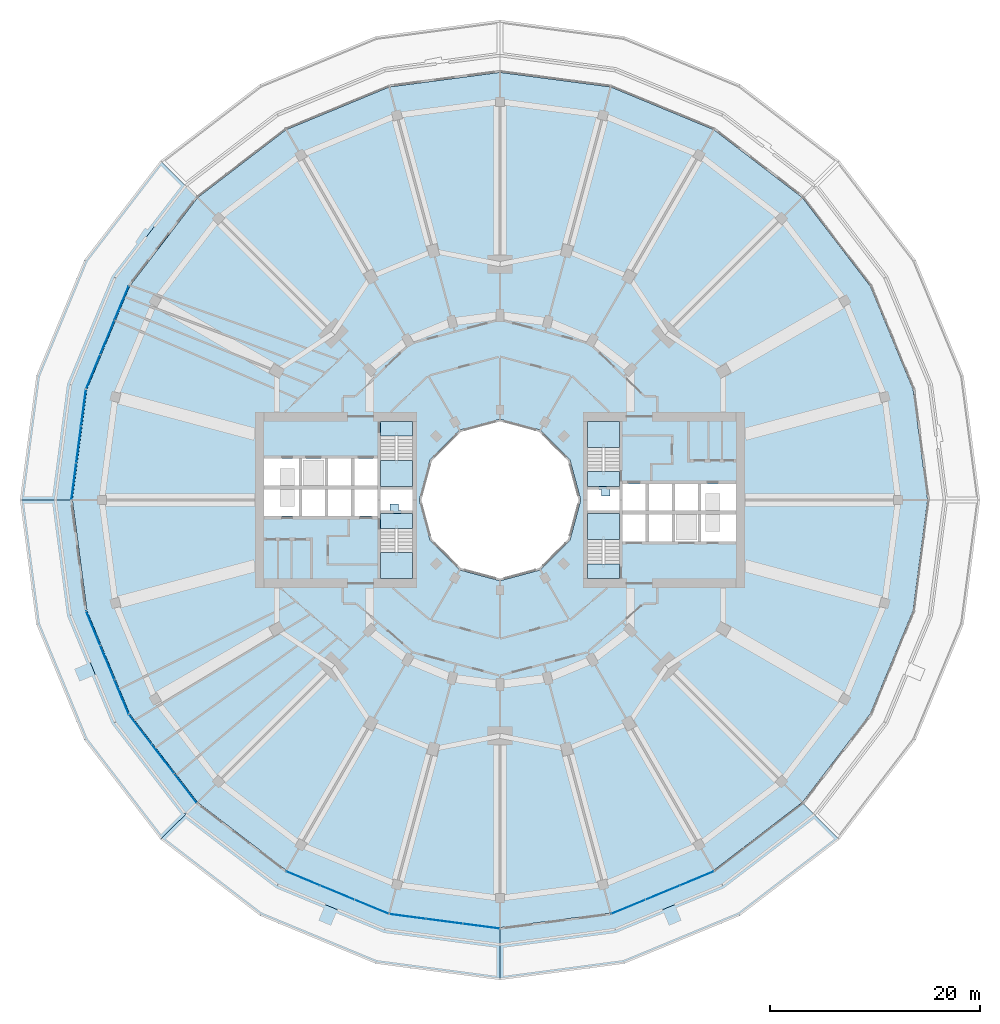
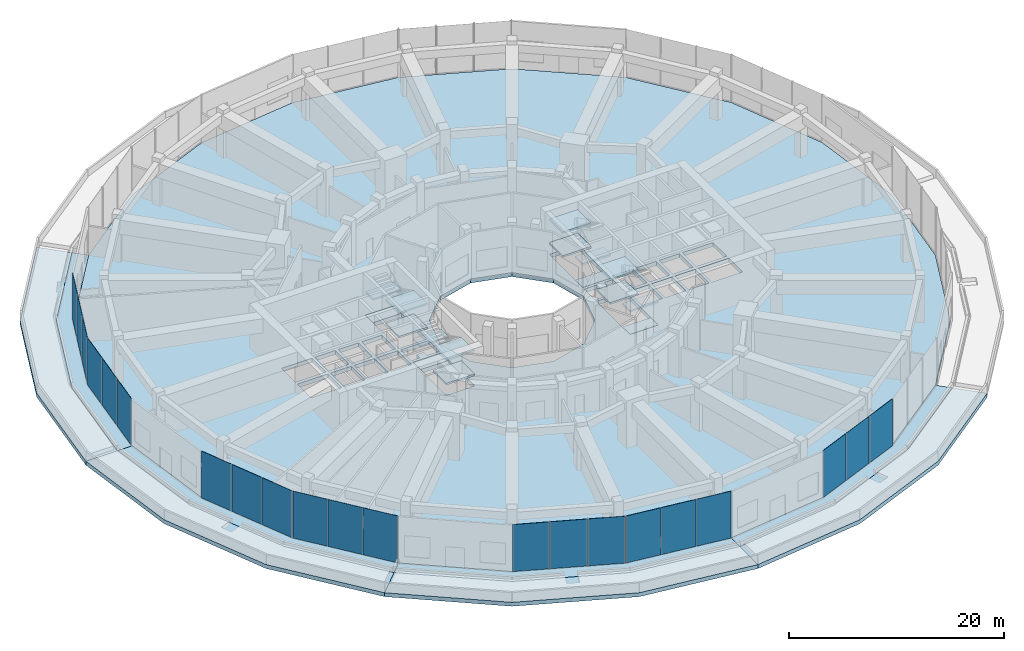
# One storey, part 19 of 30: 25 slabs, 21 plates, 11 elements without a shape of their own.
"""IFC4 building model written with IfcOpenShell, lengths in metres."""

from ifc_helpers import new_model, si_unit, direction, frame, origin, origin_2d, place, context, subcontext, project, spatial, polyline, rectangle, outline, extrude, material, layer, layer_set, type_object, element, aggregate, save


model = new_model("IFC4")

# Units and contexts
model_context = context("Model", 3, precision=1e-05, world=origin(), true_north=direction((0.0, 1.0)))
body_context = subcontext(model_context, "Body", "Model", "MODEL_VIEW")
ifc_project = project(units=[si_unit("LENGTHUNIT", "METRE"), si_unit("AREAUNIT", "SQUARE_METRE"), si_unit("VOLUMEUNIT", "CUBIC_METRE"), si_unit("PLANEANGLEUNIT", "RADIAN"), si_unit("MASSUNIT", "GRAM", prefix="KILO")], contexts=[model_context])

# Site, building, storey
site_placement = place(None, origin())
site = spatial("IfcSite", under=ifc_project, at=site_placement, CompositionType="ELEMENT")
building_placement = place(site_placement, origin())
building = spatial("IfcBuilding", under=site, at=building_placement, Name="Torre Brocal", CompositionType="ELEMENT")
storey_placement = place(building_placement, frame((0.0, 0.0, 7.0)))
storey = spatial("IfcBuildingStorey", under=building, at=storey_placement, Name="L01", CompositionType="ELEMENT", Elevation=7.0)

# Curtain wall, plates
ifc_material_1 = material(Name="Aluminium and glass", Category="aluminium")
ifc_layer_1 = layer(ifc_material_1, 0.199951171875)
ifc_layer_set_1 = layer_set([ifc_layer_1], Name="Aluminium and glass")
curtain_wall_type = type_object("IfcCurtainWallType", Name="CW-3 CURTAIN WALL 5400 HIGH", PredefinedType="NOTDEFINED", material=ifc_layer_set_1)
curtain_wall_1_placement = place(storey_placement, origin())
curtain_wall_1 = element("IfcCurtainWall", 1, at=curtain_wall_1_placement, inside=storey, type_object=curtain_wall_type, Name="CW-3 RUN 11", PredefinedType="NOTDEFINED")
ifc_material_2 = material(Name="Glass, dark tinted laminated", Category="glass")
ifc_layer_2 = layer(ifc_material_2, 0.02392578125)
ifc_layer_set_2 = layer_set([ifc_layer_2], Name="Glass, dark tinted laminated")
plate_type = type_object("IfcPlateType", Name="CW-3 GLASS PANEL 24", PredefinedType="CURTAIN_PANEL", material=ifc_layer_set_2)
plate_1_placement = place(storey_placement, frame((43.89453125, 93.7939453125, 0.06005859375), z_axis=(0.0, 0.0, 1.0), x_axis=(-0.382683432397, -0.923879532498, 0.0)))
plate_1 = element("IfcPlate", 2, at=plate_1_placement, type_object=plate_type, Name="CW3-2 panel 1.1", PredefinedType="CURTAIN_PANEL", context=body_context, shape_type="SweptSolid", body=[
    extrude(rectangle(XDim=3.48388671875, YDim=0.02392578125, at=origin_2d()), origin(), (0.0, 0.0, 1.0), 5.340087890625),
])
plate_2_placement = place(storey_placement, frame((42.537353515625, 90.517578125, 0.06005859375), z_axis=(0.0, 0.0, 1.0), x_axis=(-0.382683432397, -0.923879532498, 0.0)))
plate_2 = element("IfcPlate", 3, at=plate_2_placement, type_object=plate_type, Name="CW3-2 panel 2.1", PredefinedType="CURTAIN_PANEL", context=body_context, shape_type="SweptSolid", body=[
    extrude(rectangle(XDim=3.509033203125, YDim=0.02392578125, at=origin_2d()), origin(), (0.0, 0.0, 1.0), 5.340087890625),
])
plate_3_placement = place(storey_placement, frame((41.18017578125, 87.240966796875, 0.06005859375), z_axis=(0.0, 0.0, 1.0), x_axis=(-0.382683432397, -0.923879532498, 0.0)))
plate_3 = element("IfcPlate", 4, at=plate_3_placement, type_object=plate_type, Name="CW3-2 panel 3.1", PredefinedType="CURTAIN_PANEL", context=body_context, shape_type="SweptSolid", body=[
    extrude(rectangle(XDim=3.48388671875, YDim=0.02392578125, at=origin_2d()), origin(), (0.0, 0.0, 1.0), 5.340087890625),
])
aggregate(curtain_wall_1, [plate_1, plate_2, plate_3])

curtain_wall_2_placement = place(storey_placement, origin())
curtain_wall_2 = element("IfcCurtainWall", 5, at=curtain_wall_2_placement, inside=storey, type_object=curtain_wall_type, Name="CW-3 RUN 12", PredefinedType="NOTDEFINED")
plate_4_placement = place(storey_placement, frame((40.260498046875, 83.808837890625, 0.06005859375), z_axis=(0.0, 0.0, 1.0), x_axis=(-0.130526192185, -0.991444861378, 0.0)))
plate_4 = element("IfcPlate", 6, at=plate_4_placement, type_object=plate_type, Name="CW3-2 panel 1.1", PredefinedType="CURTAIN_PANEL", context=body_context, shape_type="SweptSolid", body=[
    extrude(rectangle(XDim=3.48388671875, YDim=0.02392578125, at=origin_2d()), origin(), (0.0, 0.0, 1.0), 5.340087890625),
])
plate_5_placement = place(storey_placement, frame((39.797607421875, 80.292724609375, 0.06005859375), z_axis=(0.0, 0.0, 1.0), x_axis=(-0.130526192185, -0.991444861378, 0.0)))
plate_5 = element("IfcPlate", 7, at=plate_5_placement, type_object=plate_type, Name="CW3-2 panel 2.1", PredefinedType="CURTAIN_PANEL", context=body_context, shape_type="SweptSolid", body=[
    extrude(rectangle(XDim=3.509033203125, YDim=0.02392578125, at=origin_2d()), origin(), (0.0, 0.0, 1.0), 5.340087890625),
])
plate_6_placement = place(storey_placement, frame((39.334716796875, 76.776611328125, 0.06005859375), z_axis=(0.0, 0.0, 1.0), x_axis=(-0.130526192185, -0.991444861378, 0.0)))
plate_6 = element("IfcPlate", 8, at=plate_6_placement, type_object=plate_type, Name="CW3-2 panel 3.1", PredefinedType="CURTAIN_PANEL", context=body_context, shape_type="SweptSolid", body=[
    extrude(rectangle(XDim=3.48388671875, YDim=0.02392578125, at=origin_2d()), origin(), (0.0, 0.0, 1.0), 5.340087890625),
])
aggregate(curtain_wall_2, [plate_4, plate_5, plate_6])

curtain_wall_3_placement = place(storey_placement, origin())
curtain_wall_3 = element("IfcCurtainWall", 9, at=curtain_wall_3_placement, inside=storey, type_object=curtain_wall_type, Name="CW-3 RUN 14", PredefinedType="NOTDEFINED")
plate_7_placement = place(storey_placement, frame((41.18017578125, 62.759033203125, 0.06005859375), z_axis=(0.0, 0.0, 1.0), x_axis=(0.382683432397, -0.923879532498, 0.0)))
plate_7 = element("IfcPlate", 10, at=plate_7_placement, type_object=plate_type, Name="CW3-2 panel 1.1", PredefinedType="CURTAIN_PANEL", context=body_context, shape_type="SweptSolid", body=[
    extrude(rectangle(XDim=3.48388671875, YDim=0.02392578125, at=origin_2d()), origin(), (0.0, 0.0, 1.0), 5.340087890625),
])
plate_8_placement = place(storey_placement, frame((42.537353515625, 59.482421875, 0.06005859375), z_axis=(0.0, 0.0, 1.0), x_axis=(0.382683432397, -0.923879532498, 0.0)))
plate_8 = element("IfcPlate", 11, at=plate_8_placement, type_object=plate_type, Name="CW3-2 panel 2.1", PredefinedType="CURTAIN_PANEL", context=body_context, shape_type="SweptSolid", body=[
    extrude(rectangle(XDim=3.509033203125, YDim=0.02392578125, at=origin_2d()), origin(), (0.0, 0.0, 1.0), 5.340087890625),
])
plate_9_placement = place(storey_placement, frame((43.89453125, 56.2060546875, 0.06005859375), z_axis=(0.0, 0.0, 1.0), x_axis=(0.382683432397, -0.923879532498, 0.0)))
plate_9 = element("IfcPlate", 12, at=plate_9_placement, type_object=plate_type, Name="CW3-2 panel 3.1", PredefinedType="CURTAIN_PANEL", context=body_context, shape_type="SweptSolid", body=[
    extrude(rectangle(XDim=3.48388671875, YDim=0.02392578125, at=origin_2d()), origin(), (0.0, 0.0, 1.0), 5.340087890625),
])
aggregate(curtain_wall_3, [plate_7, plate_8, plate_9])

curtain_wall_4_placement = place(storey_placement, origin())
curtain_wall_4 = element("IfcCurtainWall", 13, at=curtain_wall_4_placement, inside=storey, type_object=curtain_wall_type, Name="CW-3 RUN 15", PredefinedType="NOTDEFINED")
plate_10_placement = place(storey_placement, frame((45.671142578125, 53.128662109375, 0.06005859375), z_axis=(0.0, 0.0, 1.0), x_axis=(0.608761429009, -0.793353340291, 0.0)))
plate_10 = element("IfcPlate", 14, at=plate_10_placement, type_object=plate_type, Name="CW3-2 panel 1.1", PredefinedType="CURTAIN_PANEL", context=body_context, shape_type="SweptSolid", body=[
    extrude(rectangle(XDim=3.48388671875, YDim=0.02392578125, at=origin_2d()), origin(), (0.0, 0.0, 1.0), 5.340087890625),
])
plate_11_placement = place(storey_placement, frame((47.830078125, 50.315185546875, 0.06005859375), z_axis=(0.0, 0.0, 1.0), x_axis=(0.608761429009, -0.793353340291, 0.0)))
plate_11 = element("IfcPlate", 15, at=plate_11_placement, type_object=plate_type, Name="CW3-2 panel 2.1", PredefinedType="CURTAIN_PANEL", context=body_context, shape_type="SweptSolid", body=[
    extrude(rectangle(XDim=3.509033203125, YDim=0.02392578125, at=origin_2d()), origin(), (0.0, 0.0, 1.0), 5.340087890625),
])
plate_12_placement = place(storey_placement, frame((49.989013671875, 47.501708984375, 0.06005859375), z_axis=(0.0, 0.0, 1.0), x_axis=(0.608761429009, -0.793353340291, 0.0)))
plate_12 = element("IfcPlate", 16, at=plate_12_placement, type_object=plate_type, Name="CW3-2 panel 3.1", PredefinedType="CURTAIN_PANEL", context=body_context, shape_type="SweptSolid", body=[
    extrude(rectangle(XDim=3.48388671875, YDim=0.02392578125, at=origin_2d()), origin(), (0.0, 0.0, 1.0), 5.340087890625),
])
aggregate(curtain_wall_4, [plate_10, plate_11, plate_12])

curtain_wall_5_placement = place(storey_placement, origin())
curtain_wall_5 = element("IfcCurtainWall", 17, at=curtain_wall_5_placement, inside=storey, type_object=curtain_wall_type, Name="CW-3 RUN 17", PredefinedType="NOTDEFINED")
plate_13_placement = place(storey_placement, frame((61.2060546875, 38.89453125, 0.06005859375), z_axis=(0.0, 0.0, 1.0), x_axis=(0.923879532498, -0.382683432397, 0.0)))
plate_13 = element("IfcPlate", 18, at=plate_13_placement, type_object=plate_type, Name="CW3-2 panel 1.1", PredefinedType="CURTAIN_PANEL", context=body_context, shape_type="SweptSolid", body=[
    extrude(rectangle(XDim=3.48388671875, YDim=0.02392578125, at=origin_2d()), origin(), (0.0, 0.0, 1.0), 5.340087890625),
])
plate_14_placement = place(storey_placement, frame((64.482421875, 37.537353515625, 0.06005859375), z_axis=(0.0, 0.0, 1.0), x_axis=(0.923879532498, -0.382683432397, 0.0)))
plate_14 = element("IfcPlate", 19, at=plate_14_placement, type_object=plate_type, Name="CW3-2 panel 2.1", PredefinedType="CURTAIN_PANEL", context=body_context, shape_type="SweptSolid", body=[
    extrude(rectangle(XDim=3.509033203125, YDim=0.02392578125, at=origin_2d()), origin(), (0.0, 0.0, 1.0), 5.340087890625),
])
plate_15_placement = place(storey_placement, frame((67.759033203125, 36.18017578125, 0.06005859375), z_axis=(0.0, 0.0, 1.0), x_axis=(0.923879532498, -0.382683432397, 0.0)))
plate_15 = element("IfcPlate", 20, at=plate_15_placement, type_object=plate_type, Name="CW3-2 panel 3.1", PredefinedType="CURTAIN_PANEL", context=body_context, shape_type="SweptSolid", body=[
    extrude(rectangle(XDim=3.48388671875, YDim=0.02392578125, at=origin_2d()), origin(), (0.0, 0.0, 1.0), 5.340087890625),
])
aggregate(curtain_wall_5, [plate_13, plate_14, plate_15])

curtain_wall_6_placement = place(storey_placement, origin())
curtain_wall_6 = element("IfcCurtainWall", 21, at=curtain_wall_6_placement, inside=storey, type_object=curtain_wall_type, Name="CW-3 RUN 18", PredefinedType="NOTDEFINED")
plate_16_placement = place(storey_placement, frame((71.191162109375, 35.260498046875, 0.06005859375), z_axis=(0.0, 0.0, 1.0), x_axis=(0.991444861378, -0.130526192185, 0.0)))
plate_16 = element("IfcPlate", 22, at=plate_16_placement, type_object=plate_type, Name="CW3-2 panel 1.1", PredefinedType="CURTAIN_PANEL", context=body_context, shape_type="SweptSolid", body=[
    extrude(rectangle(XDim=3.48388671875, YDim=0.02392578125, at=origin_2d()), origin(), (0.0, 0.0, 1.0), 5.340087890625),
])
plate_17_placement = place(storey_placement, frame((74.707275390625, 34.797607421875, 0.06005859375), z_axis=(0.0, 0.0, 1.0), x_axis=(0.991444861378, -0.130526192185, 0.0)))
plate_17 = element("IfcPlate", 23, at=plate_17_placement, type_object=plate_type, Name="CW3-2 panel 2.1", PredefinedType="CURTAIN_PANEL", context=body_context, shape_type="SweptSolid", body=[
    extrude(rectangle(XDim=3.509033203125, YDim=0.02392578125, at=origin_2d()), origin(), (0.0, 0.0, 1.0), 5.340087890625),
])
plate_18_placement = place(storey_placement, frame((78.223388671875, 34.334716796875, 0.06005859375), z_axis=(0.0, 0.0, 1.0), x_axis=(0.991444861378, -0.130526192185, 0.0)))
plate_18 = element("IfcPlate", 24, at=plate_18_placement, type_object=plate_type, Name="CW3-2 panel 3.1", PredefinedType="CURTAIN_PANEL", context=body_context, shape_type="SweptSolid", body=[
    extrude(rectangle(XDim=3.48388671875, YDim=0.02392578125, at=origin_2d()), origin(), (0.0, 0.0, 1.0), 5.340087890625),
])
aggregate(curtain_wall_6, [plate_16, plate_17, plate_18])

curtain_wall_7_placement = place(storey_placement, origin())
curtain_wall_7 = element("IfcCurtainWall", 25, at=curtain_wall_7_placement, inside=storey, type_object=curtain_wall_type, Name="CW-3 RUN 20", PredefinedType="NOTDEFINED")
plate_19_placement = place(storey_placement, frame((92.240966796875, 36.18017578125, 0.06005859375), z_axis=(0.0, 0.0, 1.0), x_axis=(0.923879532498, 0.382683432397, 0.0)))
plate_19 = element("IfcPlate", 26, at=plate_19_placement, type_object=plate_type, Name="CW3-2 panel 1.1", PredefinedType="CURTAIN_PANEL", context=body_context, shape_type="SweptSolid", body=[
    extrude(rectangle(XDim=3.48388671875, YDim=0.02392578125, at=origin_2d()), origin(), (0.0, 0.0, 1.0), 5.340087890625),
])
plate_20_placement = place(storey_placement, frame((95.517578125, 37.537353515625, 0.06005859375), z_axis=(0.0, 0.0, 1.0), x_axis=(0.923879532498, 0.382683432397, 0.0)))
plate_20 = element("IfcPlate", 27, at=plate_20_placement, type_object=plate_type, Name="CW3-2 panel 2.1", PredefinedType="CURTAIN_PANEL", context=body_context, shape_type="SweptSolid", body=[
    extrude(rectangle(XDim=3.509033203125, YDim=0.02392578125, at=origin_2d()), origin(), (0.0, 0.0, 1.0), 5.340087890625),
])
plate_21_placement = place(storey_placement, frame((98.7939453125, 38.89453125, 0.06005859375), z_axis=(0.0, 0.0, 1.0), x_axis=(0.923879532498, 0.382683432397, 0.0)))
plate_21 = element("IfcPlate", 28, at=plate_21_placement, type_object=plate_type, Name="CW3-2 panel 3.1", PredefinedType="CURTAIN_PANEL", context=body_context, shape_type="SweptSolid", body=[
    extrude(rectangle(XDim=3.48388671875, YDim=0.02392578125, at=origin_2d()), origin(), (0.0, 0.0, 1.0), 5.340087890625),
])
aggregate(curtain_wall_7, [plate_19, plate_20, plate_21])

# Stair, slab
ifc_material_3 = material(Name="Concrete C50", Category="concrete")
stair_type = type_object("IfcStairType", Name="EXIT STAIR", PredefinedType="HALF_TURN_STAIR", material=ifc_material_3)
stair_1_placement = place(storey_placement, origin())
stair_1 = element("IfcStair", 29, at=stair_1_placement, inside=storey, type_object=stair_type, Name="EXIT STAIR ST1", PredefinedType="HALF_TURN_STAIR")
ifc_material_4 = material(Name="Concrete C50", Category="concrete")
ifc_layer_3 = layer(ifc_material_4, 0.449951171875)
ifc_layer_set_3 = layer_set([ifc_layer_3], Name="Concrete C50")
slab_type_1 = type_object("IfcSlabType", Name="FLOOR LANDING 450", PredefinedType="LANDING", material=ifc_layer_set_3)
slab_1_placement = place(storey_placement, frame((0.0, 0.0, -0.449951171875)))
slab_1 = element("IfcSlab", 30, at=slab_1_placement, type_object=slab_type_1, Name="ST1 landing 1", PredefinedType="LANDING", context=body_context, shape_type="SweptSolid", body=[
    extrude(outline(polyline([(88.35009765625, 76.300048828125), (91.39990234375, 76.300048828125), (91.39990234375, 77.699951171875), (88.35009765625, 77.699951171875), (88.35009765625, 76.300048828125)])), origin(), (0.0, 0.0, 1.0), 0.449951171875),
])

stair_2_placement = place(storey_placement, origin())
stair_2 = element("IfcStair", 31, at=stair_2_placement, inside=storey, type_object=stair_type, Name="EXIT STAIR ST2", PredefinedType="HALF_TURN_STAIR")
slab_2_placement = place(storey_placement, frame((0.0, 0.0, -0.449951171875)))
slab_2 = element("IfcSlab", 32, at=slab_2_placement, type_object=slab_type_1, Name="ST2 landing 1", PredefinedType="LANDING", context=body_context, shape_type="SweptSolid", body=[
    extrude(outline(polyline([(88.35009765625, 67.5), (91.39990234375, 67.5), (91.39990234375, 68.89990234375), (88.35009765625, 68.89990234375), (88.35009765625, 67.5)])), origin(), (0.0, 0.0, 1.0), 0.449951171875),
])

stair_3_placement = place(storey_placement, origin())
stair_3 = element("IfcStair", 33, at=stair_3_placement, inside=storey, type_object=stair_type, Name="EXIT STAIR ST3", PredefinedType="HALF_TURN_STAIR")
slab_3_placement = place(storey_placement, frame((0.0, 0.0, -0.449951171875)))
slab_3 = element("IfcSlab", 34, at=slab_3_placement, type_object=slab_type_1, Name="ST3 landing 1", PredefinedType="LANDING", context=body_context, shape_type="SweptSolid", body=[
    extrude(outline(polyline([(71.64990234375, 73.699951171875), (68.60009765625, 73.699951171875), (68.60009765625, 72.300048828125), (71.64990234375, 72.300048828125), (71.64990234375, 73.699951171875)])), origin(), (0.0, 0.0, 1.0), 0.449951171875),
])

stair_4_placement = place(storey_placement, origin())
stair_4 = element("IfcStair", 35, at=stair_4_placement, inside=storey, type_object=stair_type, Name="EXIT STAIR ST4", PredefinedType="HALF_TURN_STAIR")
slab_4_placement = place(storey_placement, frame((0.0, 0.0, -0.449951171875)))
slab_4 = element("IfcSlab", 36, at=slab_4_placement, type_object=slab_type_1, Name="ST4 landing 1", PredefinedType="LANDING", context=body_context, shape_type="SweptSolid", body=[
    extrude(outline(polyline([(71.64990234375, 82.5), (68.60009765625, 82.5), (68.60009765625, 81.10009765625), (71.64990234375, 81.10009765625), (71.64990234375, 82.5)])), origin(), (0.0, 0.0, 1.0), 0.449951171875),
])

# Slabs
ifc_material_5 = material(Name="Concrete C45", Category="concrete")
ifc_layer_4 = layer(ifc_material_5, 0.449951171875)
ifc_layer_set_4 = layer_set([ifc_layer_4], Name="Concrete C45")
slab_type_2 = type_object("IfcSlabType", Name="GREEN ROOF PLANTING BED SLAB 450 C45", PredefinedType="ROOF", material=ifc_layer_set_4)
slab_5_placement = place(storey_placement, frame((0.0, 0.0, -0.449951171875)))
element("IfcSlab", 37, at=slab_5_placement, inside=storey, type_object=slab_type_2, Name="Slab ST-04", PredefinedType="ROOF", context=body_context, shape_type="SweptSolid", body=[
    extrude(outline(polyline([(47.61572265625, 107.38427734375), (50.010009765625, 104.989990234375), (43.27001953125, 96.2060546875), (39.032958984375, 85.97705078125), (37.587890625, 75.0), (34.20166015625, 75.0), (35.76220703125, 86.853515625), (40.337646484375, 97.899169921875), (47.61572265625, 107.38427734375)])), origin(), (0.0, 0.0, 1.0), 0.449951171875),
])
slab_6_placement = place(storey_placement, frame((0.0, 0.0, -0.449951171875)))
element("IfcSlab", 38, at=slab_6_placement, inside=storey, type_object=slab_type_2, Name="Slab ST-04", PredefinedType="ROOF", context=body_context, shape_type="SweptSolid", body=[
    extrude(outline(polyline([(34.20166015625, 75.0), (37.587890625, 75.0), (39.032958984375, 64.02294921875), (43.27001953125, 53.7939453125), (50.010009765625, 45.010009765625), (47.61572265625, 42.61572265625), (40.337646484375, 52.100830078125), (35.76220703125, 63.146484375), (34.20166015625, 75.0)])), origin(), (0.0, 0.0, 1.0), 0.449951171875),
])
slab_7_placement = place(storey_placement, frame((0.0, 0.0, -0.449951171875)))
element("IfcSlab", 39, at=slab_7_placement, inside=storey, type_object=slab_type_2, Name="Slab ST-04", PredefinedType="ROOF", context=body_context, shape_type="SweptSolid", body=[
    extrude(outline(polyline([(47.61572265625, 42.61572265625), (50.010009765625, 45.010009765625), (58.7939453125, 38.27001953125), (69.02294921875, 34.032958984375), (80.0, 32.587890625), (80.0, 29.20166015625), (68.146484375, 30.76220703125), (57.100830078125, 35.337646484375), (47.61572265625, 42.61572265625)])), origin(), (0.0, 0.0, 1.0), 0.449951171875),
])
slab_8_placement = place(storey_placement, frame((0.0, 0.0, -0.449951171875)))
element("IfcSlab", 40, at=slab_8_placement, inside=storey, type_object=slab_type_2, Name="Slab ST-04", PredefinedType="ROOF", context=body_context, shape_type="SweptSolid", body=[
    extrude(outline(polyline([(80.0, 29.20166015625), (80.0, 32.587890625), (90.97705078125, 34.032958984375), (101.2060546875, 38.27001953125), (109.989990234375, 45.010009765625), (112.38427734375, 42.61572265625), (102.899169921875, 35.337646484375), (91.853515625, 30.76220703125), (80.0, 29.20166015625)])), origin(), (0.0, 0.0, 1.0), 0.449951171875),
])

# Slab
ifc_material_6 = material(Name="Concrete C50", Category="concrete")
ifc_layer_5 = layer(ifc_material_6, 0.199951171875)
ifc_layer_set_5 = layer_set([ifc_layer_5], Name="Concrete C50")
slab_type_3 = type_object("IfcSlabType", Name="MID LANDING +1350", PredefinedType="LANDING", material=ifc_layer_set_5)
slab_9_placement = place(storey_placement, frame((0.0, 0.0, 1.14990234375)))
slab_9 = element("IfcSlab", 41, at=slab_9_placement, type_object=slab_type_3, Name="ST1 landing 2", PredefinedType="LANDING", context=body_context, shape_type="SweptSolid", body=[
    extrude(outline(polyline([(88.35009765625, 80.010009765625), (91.39990234375, 80.010009765625), (91.39990234375, 82.5), (88.35009765625, 82.5), (88.35009765625, 80.010009765625)])), origin(), (0.0, 0.0, 1.0), 0.2001953125),
])

slab_10_placement = place(storey_placement, frame((0.0, 0.0, 1.14990234375)))
slab_10 = element("IfcSlab", 42, at=slab_10_placement, type_object=slab_type_3, Name="ST2 landing 2", PredefinedType="LANDING", context=body_context, shape_type="SweptSolid", body=[
    extrude(outline(polyline([(88.35009765625, 71.2099609375), (91.39990234375, 71.2099609375), (91.39990234375, 73.699951171875), (88.35009765625, 73.699951171875), (88.35009765625, 71.2099609375)])), origin(), (0.0, 0.0, 1.0), 0.2001953125),
])

slab_11_placement = place(storey_placement, frame((0.0, 0.0, 1.14990234375)))
slab_11 = element("IfcSlab", 43, at=slab_11_placement, type_object=slab_type_3, Name="ST3 landing 2", PredefinedType="LANDING", context=body_context, shape_type="SweptSolid", body=[
    extrude(outline(polyline([(71.64990234375, 69.989990234375), (68.60009765625, 69.989990234375), (68.60009765625, 67.5), (71.64990234375, 67.5), (71.64990234375, 69.989990234375)])), origin(), (0.0, 0.0, 1.0), 0.2001953125),
])

slab_12_placement = place(storey_placement, frame((0.0, 0.0, 1.14990234375)))
slab_12 = element("IfcSlab", 44, at=slab_12_placement, type_object=slab_type_3, Name="ST4 landing 2", PredefinedType="LANDING", context=body_context, shape_type="SweptSolid", body=[
    extrude(outline(polyline([(71.64990234375, 78.7900390625), (68.60009765625, 78.7900390625), (68.60009765625, 76.300048828125), (71.64990234375, 76.300048828125), (71.64990234375, 78.7900390625)])), origin(), (0.0, 0.0, 1.0), 0.2001953125),
])

ifc_material_7 = material(Name="Concrete C50", Category="concrete")
ifc_layer_6 = layer(ifc_material_7, 0.199951171875)
ifc_layer_set_6 = layer_set([ifc_layer_6], Name="Concrete C50")
slab_type_4 = type_object("IfcSlabType", Name="MID LANDING +2700", PredefinedType="LANDING", material=ifc_layer_set_6)
slab_13_placement = place(storey_placement, frame((0.0, 0.0, 2.5)))
slab_13 = element("IfcSlab", 45, at=slab_13_placement, type_object=slab_type_4, Name="ST1 landing 3", PredefinedType="LANDING", context=body_context, shape_type="SweptSolid", body=[
    extrude(outline(polyline([(88.35009765625, 76.300048828125), (91.39990234375, 76.300048828125), (91.39990234375, 77.699951171875), (88.35009765625, 77.699951171875), (88.35009765625, 76.300048828125)])), origin(), (0.0, 0.0, 1.0), 0.199951171875),
])

slab_14_placement = place(storey_placement, frame((0.0, 0.0, 2.5)))
slab_14 = element("IfcSlab", 46, at=slab_14_placement, type_object=slab_type_4, Name="ST2 landing 3", PredefinedType="LANDING", context=body_context, shape_type="SweptSolid", body=[
    extrude(outline(polyline([(88.35009765625, 67.5), (91.39990234375, 67.5), (91.39990234375, 68.89990234375), (88.35009765625, 68.89990234375), (88.35009765625, 67.5)])), origin(), (0.0, 0.0, 1.0), 0.199951171875),
])

slab_15_placement = place(storey_placement, frame((0.0, 0.0, 2.5)))
slab_15 = element("IfcSlab", 47, at=slab_15_placement, type_object=slab_type_4, Name="ST3 landing 3", PredefinedType="LANDING", context=body_context, shape_type="SweptSolid", body=[
    extrude(outline(polyline([(71.64990234375, 73.699951171875), (68.60009765625, 73.699951171875), (68.60009765625, 72.300048828125), (71.64990234375, 72.300048828125), (71.64990234375, 73.699951171875)])), origin(), (0.0, 0.0, 1.0), 0.199951171875),
])

slab_16_placement = place(storey_placement, frame((0.0, 0.0, 2.5)))
slab_16 = element("IfcSlab", 48, at=slab_16_placement, type_object=slab_type_4, Name="ST4 landing 3", PredefinedType="LANDING", context=body_context, shape_type="SweptSolid", body=[
    extrude(outline(polyline([(71.64990234375, 82.5), (68.60009765625, 82.5), (68.60009765625, 81.10009765625), (71.64990234375, 81.10009765625), (71.64990234375, 82.5)])), origin(), (0.0, 0.0, 1.0), 0.199951171875),
])

ifc_material_8 = material(Name="Concrete C50", Category="concrete")
ifc_layer_7 = layer(ifc_material_8, 0.199951171875)
ifc_layer_set_7 = layer_set([ifc_layer_7], Name="Concrete C50")
slab_type_5 = type_object("IfcSlabType", Name="MID LANDING +4050", PredefinedType="LANDING", material=ifc_layer_set_7)
slab_17_placement = place(storey_placement, frame((0.0, 0.0, 3.85009765625)))
slab_17 = element("IfcSlab", 49, at=slab_17_placement, type_object=slab_type_5, Name="ST1 landing 4", PredefinedType="LANDING", context=body_context, shape_type="SweptSolid", body=[
    extrude(outline(polyline([(88.35009765625, 80.010009765625), (91.39990234375, 80.010009765625), (91.39990234375, 82.5), (88.35009765625, 82.5), (88.35009765625, 80.010009765625)])), origin(), (0.0, 0.0, 1.0), 0.199951171875),
])

aggregate(stair_1, [slab_1, slab_9, slab_13, slab_17])

slab_18_placement = place(storey_placement, frame((0.0, 0.0, 3.85009765625)))
slab_18 = element("IfcSlab", 50, at=slab_18_placement, type_object=slab_type_5, Name="ST2 landing 4", PredefinedType="LANDING", context=body_context, shape_type="SweptSolid", body=[
    extrude(outline(polyline([(88.35009765625, 71.2099609375), (91.39990234375, 71.2099609375), (91.39990234375, 73.699951171875), (88.35009765625, 73.699951171875), (88.35009765625, 71.2099609375)])), origin(), (0.0, 0.0, 1.0), 0.199951171875),
])

aggregate(stair_2, [slab_2, slab_10, slab_14, slab_18])

slab_19_placement = place(storey_placement, frame((0.0, 0.0, 3.85009765625)))
slab_19 = element("IfcSlab", 51, at=slab_19_placement, type_object=slab_type_5, Name="ST3 landing 4", PredefinedType="LANDING", context=body_context, shape_type="SweptSolid", body=[
    extrude(outline(polyline([(71.64990234375, 69.989990234375), (68.60009765625, 69.989990234375), (68.60009765625, 67.5), (71.64990234375, 67.5), (71.64990234375, 69.989990234375)])), origin(), (0.0, 0.0, 1.0), 0.199951171875),
])

aggregate(stair_3, [slab_3, slab_11, slab_15, slab_19])

slab_20_placement = place(storey_placement, frame((0.0, 0.0, 3.85009765625)))
slab_20 = element("IfcSlab", 52, at=slab_20_placement, type_object=slab_type_5, Name="ST4 landing 4", PredefinedType="LANDING", context=body_context, shape_type="SweptSolid", body=[
    extrude(outline(polyline([(71.64990234375, 78.7900390625), (68.60009765625, 78.7900390625), (68.60009765625, 76.300048828125), (71.64990234375, 76.300048828125), (71.64990234375, 78.7900390625)])), origin(), (0.0, 0.0, 1.0), 0.199951171875),
])

aggregate(stair_4, [slab_4, slab_12, slab_16, slab_20])

# Slabs
ifc_material_9 = material(Name="Concrete C45", Category="concrete")
ifc_layer_8 = layer(ifc_material_9, 0.449951171875)
ifc_layer_set_8 = layer_set([ifc_layer_8], Name="Concrete C45")
slab_type_6 = type_object("IfcSlabType", Name="PT PODIUM SLAB 450 C45", PredefinedType="FLOOR", material=ifc_layer_set_8)
slab_21_placement = place(storey_placement, frame((0.0, 0.0, -0.449951171875)))
element("IfcSlab", 53, at=slab_21_placement, inside=storey, type_object=slab_type_6, Name="Slab ST-01", PredefinedType="FLOOR", context=body_context, shape_type="SweptSolid", body=[
    extrude(outline(polyline([(108.8486328125, 46.1513671875), (100.399169921875, 39.667724609375), (90.559326171875, 35.591796875), (80.0, 34.20166015625), (69.440673828125, 35.591796875), (59.600830078125, 39.667724609375), (51.1513671875, 46.1513671875), (44.667724609375, 54.600830078125), (40.591796875, 64.440673828125), (39.20166015625, 75.0), (40.591796875, 85.559326171875), (44.667724609375, 95.399169921875), (51.1513671875, 103.8486328125), (59.600830078125, 110.332275390625), (69.440673828125, 114.408203125), (80.0, 115.79833984375), (90.559326171875, 114.408203125), (100.399169921875, 110.332275390625), (108.8486328125, 103.8486328125), (115.332275390625, 95.399169921875), (119.408203125, 85.559326171875), (120.79833984375, 75.0), (119.408203125, 64.440673828125), (115.332275390625, 54.600830078125), (108.8486328125, 46.1513671875)]), holes=[polyline([(102.5, 74.0), (102.5, 76.550048828125), (99.199951171875, 76.550048828125), (99.199951171875, 74.0), (102.5, 74.0)]), polyline([(102.5, 71.050048828125), (102.5, 73.60009765625), (99.199951171875, 73.60009765625), (99.199951171875, 71.050048828125), (102.5, 71.050048828125)]), polyline([(98.89990234375, 76.550048828125), (96.699951171875, 76.550048828125), (96.699951171875, 74.0), (98.89990234375, 74.0), (98.89990234375, 76.550048828125)]), polyline([(98.89990234375, 71.050048828125), (98.89990234375, 73.60009765625), (96.699951171875, 73.60009765625), (96.699951171875, 71.050048828125), (98.89990234375, 71.050048828125)]), polyline([(96.39990234375, 73.60009765625), (94.199951171875, 73.60009765625), (94.199951171875, 71.050048828125), (96.39990234375, 71.050048828125), (96.39990234375, 73.60009765625)]), polyline([(96.39990234375, 74.0), (96.39990234375, 76.550048828125), (94.199951171875, 76.550048828125), (94.199951171875, 74.0), (96.39990234375, 74.0)]), polyline([(93.89990234375, 73.60009765625), (91.699951171875, 73.60009765625), (91.699951171875, 71.050048828125), (93.89990234375, 71.050048828125), (93.89990234375, 73.60009765625)]), polyline([(93.89990234375, 74.0), (93.89990234375, 76.550048828125), (91.699951171875, 76.550048828125), (91.699951171875, 74.0), (93.89990234375, 74.0)]), polyline([(91.39990234375, 76.300048828125), (91.39990234375, 82.5), (88.35009765625, 82.5), (88.35009765625, 76.300048828125), (91.39990234375, 76.300048828125)]), polyline([(91.39990234375, 73.699951171875), (88.35009765625, 73.699951171875), (88.35009765625, 67.5), (91.39990234375, 67.5), (91.39990234375, 73.699951171875)]), polyline([(89.699951171875, 76.0), (88.35009765625, 76.0), (88.35009765625, 74.0), (91.39990234375, 74.0), (91.39990234375, 76.0), (90.5, 76.0), (90.5, 75.39990234375), (89.699951171875, 75.39990234375), (89.699951171875, 76.0)]), polyline([(80.0, 82.70703125), (76.146484375, 81.674560546875), (73.325439453125, 78.853515625), (72.29296875, 75.0), (73.325439453125, 71.146484375), (76.146484375, 68.325439453125), (80.0, 67.29296875), (83.853515625, 68.325439453125), (86.674560546875, 71.146484375), (87.70703125, 75.0), (86.674560546875, 78.853515625), (83.853515625, 81.674560546875), (80.0, 82.70703125)]), polyline([(68.60009765625, 82.5), (68.60009765625, 76.300048828125), (71.64990234375, 76.300048828125), (71.64990234375, 82.5), (68.60009765625, 82.5)]), polyline([(70.300048828125, 74.0), (71.64990234375, 74.0), (71.64990234375, 76.0), (68.60009765625, 76.0), (68.60009765625, 74.0), (69.5, 74.0), (69.5, 74.60009765625), (70.300048828125, 74.60009765625), (70.300048828125, 74.0)]), polyline([(68.60009765625, 67.5), (71.64990234375, 67.5), (71.64990234375, 73.699951171875), (68.60009765625, 73.699951171875), (68.60009765625, 67.5)]), polyline([(66.10009765625, 78.949951171875), (66.10009765625, 76.39990234375), (68.300048828125, 76.39990234375), (68.300048828125, 78.949951171875), (66.10009765625, 78.949951171875)]), polyline([(66.10009765625, 76.0), (66.10009765625, 73.449951171875), (68.300048828125, 73.449951171875), (68.300048828125, 76.0), (66.10009765625, 76.0)]), polyline([(63.60009765625, 76.0), (63.60009765625, 73.449951171875), (65.800048828125, 73.449951171875), (65.800048828125, 76.0), (63.60009765625, 76.0)]), polyline([(63.60009765625, 76.39990234375), (65.800048828125, 76.39990234375), (65.800048828125, 78.949951171875), (63.60009765625, 78.949951171875), (63.60009765625, 76.39990234375)]), polyline([(61.10009765625, 78.949951171875), (61.10009765625, 76.39990234375), (63.300048828125, 76.39990234375), (63.300048828125, 78.949951171875), (61.10009765625, 78.949951171875)]), polyline([(61.10009765625, 73.449951171875), (63.300048828125, 73.449951171875), (63.300048828125, 76.0), (61.10009765625, 76.0), (61.10009765625, 73.449951171875)]), polyline([(57.5, 73.449951171875), (60.800048828125, 73.449951171875), (60.800048828125, 76.0), (57.5, 76.0), (57.5, 73.449951171875)]), polyline([(57.5, 78.949951171875), (57.5, 76.39990234375), (60.800048828125, 76.39990234375), (60.800048828125, 78.949951171875), (57.5, 78.949951171875)])]), origin(), (0.0, 0.0, 1.0), 0.449951171875),
])
ifc_material_10 = material(Name="Concrete C45", Category="concrete")
ifc_layer_9 = layer(ifc_material_10, 0.449951171875)
ifc_layer_set_9 = layer_set([ifc_layer_9], Name="Concrete C45")
slab_type_7 = type_object("IfcSlabType", Name="PT TERRACE SLAB 450 C45", PredefinedType="ROOF", material=ifc_layer_set_9)
slab_22_placement = place(storey_placement, frame((0.0, 0.0, -0.449951171875)))
element("IfcSlab", 54, at=slab_22_placement, inside=storey, type_object=slab_type_7, Name="Slab ST-03", PredefinedType="ROOF", context=body_context, shape_type="SweptSolid", body=[
    extrude(outline(polyline([(44.667724609375, 95.399169921875), (40.591796875, 85.559326171875), (39.20166015625, 75.0), (37.587890625, 75.0), (39.032958984375, 85.97705078125), (43.27001953125, 96.2060546875), (50.010009765625, 104.989990234375), (51.1513671875, 103.8486328125), (44.667724609375, 95.399169921875)])), origin(), (0.0, 0.0, 1.0), 0.449951171875),
])
slab_23_placement = place(storey_placement, frame((0.0, 0.0, -0.449951171875)))
element("IfcSlab", 55, at=slab_23_placement, inside=storey, type_object=slab_type_7, Name="Slab ST-03", PredefinedType="ROOF", context=body_context, shape_type="SweptSolid", body=[
    extrude(outline(polyline([(40.591796875, 64.440673828125), (44.667724609375, 54.600830078125), (51.1513671875, 46.1513671875), (50.010009765625, 45.010009765625), (43.27001953125, 53.7939453125), (39.032958984375, 64.02294921875), (37.587890625, 75.0), (39.20166015625, 75.0), (40.591796875, 64.440673828125)])), origin(), (0.0, 0.0, 1.0), 0.449951171875),
])
slab_24_placement = place(storey_placement, frame((0.0, 0.0, -0.449951171875)))
element("IfcSlab", 56, at=slab_24_placement, inside=storey, type_object=slab_type_7, Name="Slab ST-03", PredefinedType="ROOF", context=body_context, shape_type="SweptSolid", body=[
    extrude(outline(polyline([(59.600830078125, 39.667724609375), (69.440673828125, 35.591796875), (80.0, 34.20166015625), (80.0, 32.587890625), (69.02294921875, 34.032958984375), (58.7939453125, 38.27001953125), (50.010009765625, 45.010009765625), (51.1513671875, 46.1513671875), (59.600830078125, 39.667724609375)])), origin(), (0.0, 0.0, 1.0), 0.449951171875),
])
slab_25_placement = place(storey_placement, frame((0.0, 0.0, -0.449951171875)))
element("IfcSlab", 57, at=slab_25_placement, inside=storey, type_object=slab_type_7, Name="Slab ST-03", PredefinedType="ROOF", context=body_context, shape_type="SweptSolid", body=[
    extrude(outline(polyline([(90.559326171875, 35.591796875), (100.399169921875, 39.667724609375), (108.8486328125, 46.1513671875), (109.989990234375, 45.010009765625), (101.2060546875, 38.27001953125), (90.97705078125, 34.032958984375), (80.0, 32.587890625), (80.0, 34.20166015625), (90.559326171875, 35.591796875)])), origin(), (0.0, 0.0, 1.0), 0.449951171875),
])

save(model, "model.ifc")
